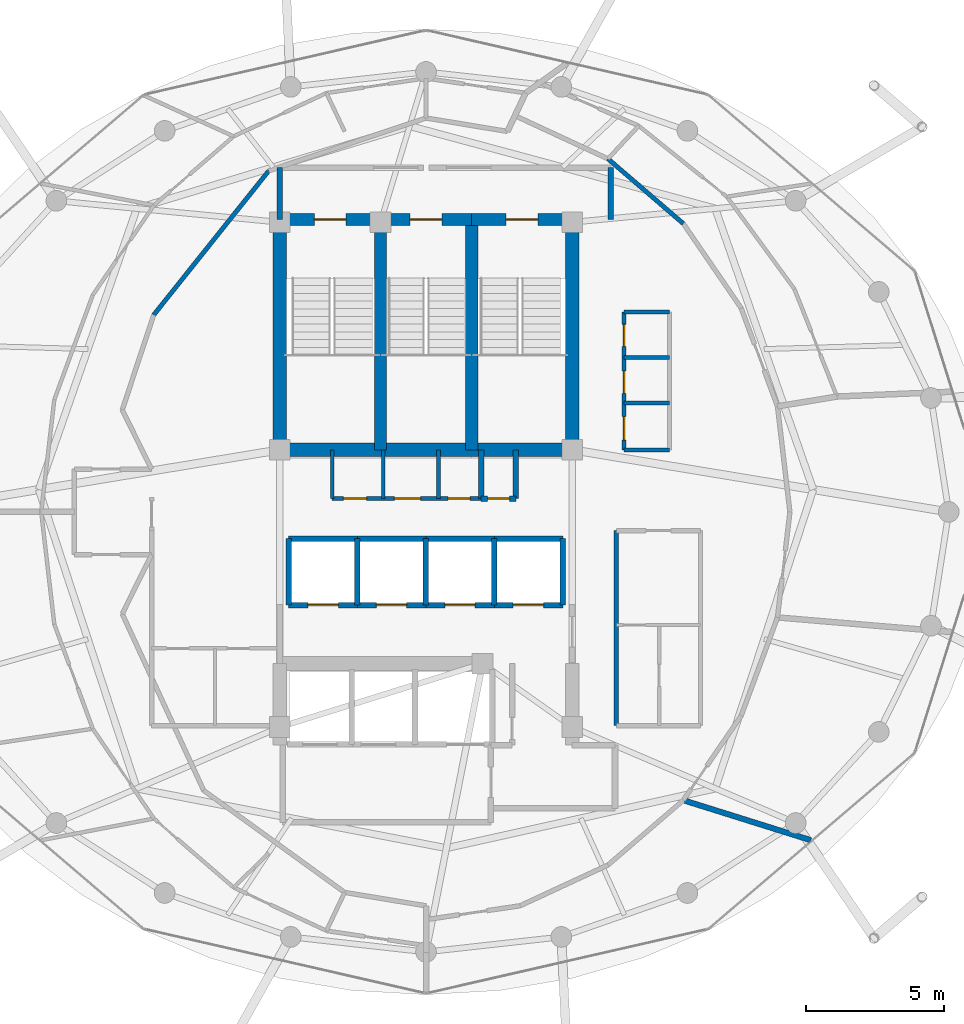
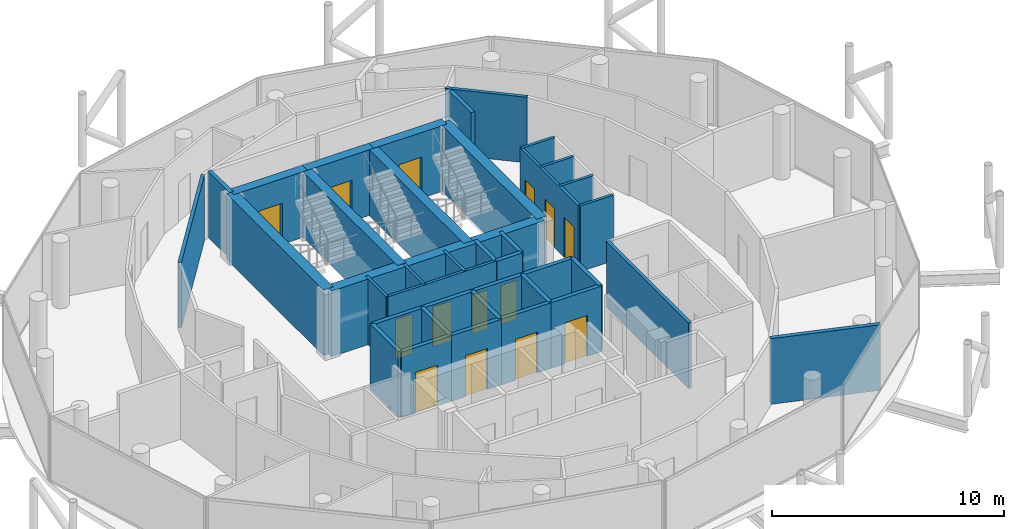
# One storey, part 21 of 24: 39 walls, 14 doors, 14 openings.
"""IFC4 building model written with IfcOpenShell, lengths in metres."""

from ifc_helpers import new_model, si_unit, direction, frame, frame_2d, origin, place, context, subcontext, project, spatial, rectangle, extrude, material, layer, layer_set, type_object, element, fill, save


model = new_model("IFC4")

# Units and contexts
model_context = context("Model", 3, precision=1e-05, world=origin(), true_north=direction((0.0, 1.0)))
body_context = subcontext(model_context, "Body", "Model", "MODEL_VIEW")
ifc_project = project(units=[si_unit("LENGTHUNIT", "METRE"), si_unit("AREAUNIT", "SQUARE_METRE"), si_unit("VOLUMEUNIT", "CUBIC_METRE"), si_unit("PLANEANGLEUNIT", "RADIAN"), si_unit("MASSUNIT", "GRAM", prefix="KILO")], contexts=[model_context])

# Site, building, storey
site_placement = place(None, origin())
site = spatial("IfcSite", under=ifc_project, at=site_placement, CompositionType="ELEMENT")
building_placement = place(site_placement, origin())
building = spatial("IfcBuilding", under=site, at=building_placement, Name="Nuhasar Tower", CompositionType="ELEMENT")
storey_placement = place(building_placement, frame((0.0, 0.0, 297.39990234375)))
storey = spatial("IfcBuildingStorey", under=building, at=storey_placement, Name="L74", CompositionType="ELEMENT", Elevation=297.39990234375)

# Wall, opening, door
ifc_material_1 = material(Name="Concrete C50/60", Category="concrete")
ifc_layer_1 = layer(ifc_material_1, 0.449951171875)
ifc_layer_set_1 = layer_set([ifc_layer_1], Name="Concrete C50/60")
wall_type_1 = type_object("IfcWallType", Name="WL-CORE-450", PredefinedType="SHEAR", material=ifc_layer_set_1)
wall_1_placement = place(storey_placement, frame((37.35009765625, 37.39990234375, 0.0), z_axis=(0.0, 0.0, 1.0), x_axis=(-1.0, 0.0, 0.0)))
wall_1 = element("IfcWall", 1, at=wall_1_placement, inside=storey, type_object=wall_type_1, Name="L74 Stairwell Shear Wall ST01-N", PredefinedType="SHEAR", context=body_context, shape_type="SweptSolid", body=[
    extrude(rectangle(XDim=3.650146484375, YDim=0.449951171875, at=frame_2d((1.8251953125, 0.0))), origin(), (0.0, 0.0, 1.0), 3.4501953125),
])
opening_1_placement = place(wall_1_placement, frame((1.25, 0.0, 0.0)))
opening_1 = element("IfcOpeningElement", 2, at=opening_1_placement, cuts=wall_1, Name="Opening DS-01", PredefinedType="OPENING", context=body_context, shape_type="SweptSolid", body=[
    extrude(rectangle(XDim=1.14990234375, YDim=2.14990234375, at=frame_2d((0.574951171875, 1.074951171875))), frame((0.0, 0.23486328125, 0.0), z_axis=(0.0, -1.0, 0.0), x_axis=(1.0, 0.0, 0.0)), (0.0, 0.0, 1.0), 0.469970703125),
])
ifc_material_2 = material(Name="Steel S355", Category="steel")
door_type_1 = type_object("IfcDoorType", Name="DR-STAIR-FD120-1150", OperationType="NOTDEFINED", PredefinedType="DOOR", material=ifc_material_2)
door_1_placement = place(opening_1_placement, origin())
door_1 = element("IfcDoor", 3, at=door_1_placement, inside=storey, type_object=door_type_1, Name="L74 Exit Stair ST-01 Door", OperationType="SINGLE_SWING_RIGHT", OverallHeight=2.14990234375, OverallWidth=1.14990234375, PredefinedType="DOOR", context=body_context, shape_type="SweptSolid", body=[
    extrude(rectangle(XDim=1.14990234375, YDim=2.14990234375, at=frame_2d((0.574951171875, 1.074951171875))), frame((0.0, 0.02490234375, 0.0), z_axis=(0.0, -1.0, 0.0), x_axis=(1.0, 0.0, 0.0)), (0.0, 0.0, 1.0), 0.050048828125),
])
fill(opening_1, door_1)

# Wall
wall_2_placement = place(storey_placement, frame((37.35009765625, 29.050048828125, 0.0), z_axis=(0.0, 0.0, 1.0), x_axis=(0.0, 1.0, 0.0)))
element("IfcWall", 4, at=wall_2_placement, inside=storey, type_object=wall_type_1, Name="L74 Stairwell Shear Wall ST01-E", PredefinedType="SHEAR", context=body_context, shape_type="SweptSolid", body=[
    extrude(rectangle(XDim=8.349853515625, YDim=0.449951171875, at=frame_2d((4.1748046875, 0.0))), origin(), (0.0, 0.0, 1.0), 3.4501953125),
])

# Wall, opening, door
wall_3_placement = place(storey_placement, frame((40.64990234375, 37.39990234375, 0.0), z_axis=(0.0, 0.0, 1.0), x_axis=(-1.0, 0.0, 0.0)))
wall_3 = element("IfcWall", 5, at=wall_3_placement, inside=storey, type_object=wall_type_1, Name="L74 Stairwell Shear Wall ST03-N", PredefinedType="SHEAR", context=body_context, shape_type="SweptSolid", body=[
    extrude(rectangle(XDim=3.2998046875, YDim=0.449951171875, at=frame_2d((1.64990234375, 0.0))), origin(), (0.0, 0.0, 1.0), 3.4501953125),
])
opening_2_placement = place(wall_3_placement, frame((1.074951171875, 0.0, 0.0)))
opening_2 = element("IfcOpeningElement", 6, at=opening_2_placement, cuts=wall_3, Name="Opening DS-01", PredefinedType="OPENING", context=body_context, shape_type="SweptSolid", body=[
    extrude(rectangle(XDim=1.14990234375, YDim=2.14990234375, at=frame_2d((0.574951171875, 1.074951171875))), frame((0.0, 0.23486328125, 0.0), z_axis=(0.0, -1.0, 0.0), x_axis=(1.0, 0.0, 0.0)), (0.0, 0.0, 1.0), 0.469970703125),
])
door_2_placement = place(opening_2_placement, origin())
door_2 = element("IfcDoor", 7, at=door_2_placement, inside=storey, type_object=door_type_1, Name="L74 Exit Stair ST-03 Door", OperationType="SINGLE_SWING_RIGHT", OverallHeight=2.14990234375, OverallWidth=1.14990234375, PredefinedType="DOOR", context=body_context, shape_type="SweptSolid", body=[
    extrude(rectangle(XDim=1.14990234375, YDim=2.14990234375, at=frame_2d((0.574951171875, 1.074951171875))), frame((0.0, 0.02490234375, 0.0), z_axis=(0.0, -1.0, 0.0), x_axis=(1.0, 0.0, 0.0)), (0.0, 0.0, 1.0), 0.050048828125),
])
fill(opening_2, door_2)

# Wall
wall_4_placement = place(storey_placement, frame((40.64990234375, 29.050048828125, 0.0), z_axis=(0.0, 0.0, 1.0), x_axis=(0.0, 1.0, 0.0)))
element("IfcWall", 8, at=wall_4_placement, inside=storey, type_object=wall_type_1, Name="L74 Stairwell Shear Wall ST03-E", PredefinedType="SHEAR", context=body_context, shape_type="SweptSolid", body=[
    extrude(rectangle(XDim=8.349853515625, YDim=0.449951171875, at=frame_2d((4.1748046875, 0.0))), origin(), (0.0, 0.0, 1.0), 3.4501953125),
])

# Wall, opening, door
wall_5_placement = place(storey_placement, frame((44.300048828125, 37.39990234375, 0.0), z_axis=(0.0, 0.0, 1.0), x_axis=(-1.0, 0.0, 0.0)))
wall_5 = element("IfcWall", 9, at=wall_5_placement, inside=storey, type_object=wall_type_1, Name="L74 Stairwell Shear Wall ST02-N", PredefinedType="SHEAR", context=body_context, shape_type="SweptSolid", body=[
    extrude(rectangle(XDim=3.650146484375, YDim=0.449951171875, at=frame_2d((1.8251953125, 0.0))), origin(), (0.0, 0.0, 1.0), 3.4501953125),
])
opening_3_placement = place(wall_5_placement, frame((1.25, 0.0, 0.0)))
opening_3 = element("IfcOpeningElement", 10, at=opening_3_placement, cuts=wall_5, Name="Opening DS-01", PredefinedType="OPENING", context=body_context, shape_type="SweptSolid", body=[
    extrude(rectangle(XDim=1.14990234375, YDim=2.14990234375, at=frame_2d((0.574951171875, 1.074951171875))), frame((0.0, 0.23486328125, 0.0), z_axis=(0.0, -1.0, 0.0), x_axis=(1.0, 0.0, 0.0)), (0.0, 0.0, 1.0), 0.469970703125),
])
door_3_placement = place(opening_3_placement, origin())
door_3 = element("IfcDoor", 11, at=door_3_placement, inside=storey, type_object=door_type_1, Name="L74 Exit Stair ST-02 Door", OperationType="SINGLE_SWING_LEFT", OverallHeight=2.14990234375, OverallWidth=1.14990234375, PredefinedType="DOOR", context=body_context, shape_type="SweptSolid", body=[
    extrude(rectangle(XDim=1.14990234375, YDim=2.14990234375, at=frame_2d((0.574951171875, 1.074951171875))), frame((0.0, 0.02490234375, 0.0), z_axis=(0.0, -1.0, 0.0), x_axis=(1.0, 0.0, 0.0)), (0.0, 0.0, 1.0), 0.050048828125),
])
fill(opening_3, door_3)

# Walls
ifc_layer_2 = layer(ifc_material_1, 0.5)
ifc_layer_set_2 = layer_set([ifc_layer_2], Name="Concrete C50/60")
wall_type_2 = type_object("IfcWallType", Name="WL-CORE-500", PredefinedType="SHEAR", material=ifc_layer_set_2)
for number, where, z_axis, x_axis, name in (
    (12, (33.699951171875, 29.050048828125, 0.0), (0.0, 0.0, 1.0), (0.0, 1.0, 0.0), "L74 Core Shear Wall CW-NW CW-500"),
    (13, (44.300048828125, 29.050048828125, 0.0), (0.0, 0.0, 1.0), (0.0, 1.0, 0.0), "L74 Core Shear Wall CW-NE CW-500"),
):
    element("IfcWall", number, at=place(storey_placement, frame(where, z_axis=z_axis, x_axis=x_axis)), inside=storey, type_object=wall_type_2, Name=name, PredefinedType="SHEAR", context=body_context, shape_type="SweptSolid", body=[
        extrude(rectangle(XDim=8.349853515625, YDim=0.5, at=frame_2d((4.1748046875, 0.0))), origin(), (0.0, 0.0, 1.0), 3.4501953125),
    ])
wall_6_placement = place(storey_placement, frame((33.699951171875, 29.050048828125, 0.0), z_axis=(0.0, 0.0, 1.0), x_axis=(1.0, 0.0, 0.0)))
element("IfcWall", 14, at=wall_6_placement, inside=storey, type_object=wall_type_2, Name="L74 Core Shear Wall CW-N1 CW-500", PredefinedType="SHEAR", context=body_context, shape_type="SweptSolid", body=[
    extrude(rectangle(XDim=10.60009765625, YDim=0.5, at=frame_2d((5.300048828125, 0.0))), origin(), (0.0, 0.0, 1.0), 3.4501953125),
])
ifc_material_3 = material(Name="Gypsum Board", Category="gypsum")
ifc_layer_3 = layer(ifc_material_3, 0.159912109375)
ifc_layer_set_3 = layer_set([ifc_layer_3], Name="Gypsum Board")
wall_type_3 = type_object("IfcWallType", Name="WL-CORR-160", PredefinedType="PARTITIONING", material=ifc_layer_set_3)
wall_7_placement = place(storey_placement, frame((45.89990234375, 19.050048828125, 0.0), z_axis=(0.0, 0.0, 1.0), x_axis=(0.0, 1.0, 0.0)))
element("IfcWall", 15, at=wall_7_placement, inside=storey, type_object=wall_type_3, Name="L74 Interior Partition RECL-B2-W", PredefinedType="PARTITIONING", context=body_context, shape_type="SweptSolid", body=[
    extrude(rectangle(XDim=7.070068359375, YDim=0.159912109375, at=frame_2d((3.53515625, 0.0))), origin(), (0.0, 0.0, 1.0), 3.4501953125),
])
wall_8_placement = place(storey_placement, frame((48.326904296875, 37.2509765625, 0.0), z_axis=(0.0, 0.0, 1.0), x_axis=(-0.758232091793, 0.651984735231, 0.0)))
element("IfcWall", 16, at=wall_8_placement, inside=storey, type_object=wall_type_3, Name="L74 Interior Partition CORR-06", PredefinedType="PARTITIONING", context=body_context, shape_type="SweptSolid", body=[
    extrude(rectangle(XDim=3.60302734375, YDim=0.159912109375, at=frame_2d((1.801513671875, 0.0))), origin(), (0.0, 0.0, 1.0), 3.4501953125),
])
wall_9_placement = place(storey_placement, frame((33.300048828125, 39.1669921875, 0.0), z_axis=(0.0, 0.0, 1.0), x_axis=(-0.623915746766, -0.781491612839, 0.0)))
element("IfcWall", 17, at=wall_9_placement, inside=storey, type_object=wall_type_3, Name="L74 Interior Partition UWEST-CORE-N2-16", PredefinedType="PARTITIONING", context=body_context, shape_type="SweptSolid", body=[
    extrude(rectangle(XDim=6.6884765625, YDim=0.159912109375, at=frame_2d((3.34423828125, 0.0))), origin(), (0.0, 0.0, 1.0), 3.4501953125),
])
ifc_material_4 = material(Name="Concrete C45/55", Category="concrete")
ifc_layer_4 = layer(ifc_material_4, 0.199951171875)
ifc_layer_set_4 = layer_set([ifc_layer_4], Name="Concrete C45/55")
wall_type_4 = type_object("IfcWallType", Name="WL-LOBBY-200", PredefinedType="SOLIDWALL", material=ifc_layer_set_4)
for number, where, z_axis, x_axis, name in (
    (18, (33.699951171875, 37.39990234375, 0.0), (0.0, 0.0, 1.0), (0.0, 1.0, 0.0), "L74 Interior Partition NSL-W"),
    (19, (45.699951171875, 37.39990234375, 0.0), (0.0, 0.0, 1.0), (0.0, 1.0, 0.0), "L74 Interior Partition NSL-E"),
):
    element("IfcWall", number, at=place(storey_placement, frame(where, z_axis=z_axis, x_axis=x_axis)), inside=storey, type_object=wall_type_4, Name=name, PredefinedType="SOLIDWALL", context=body_context, shape_type="SweptSolid", body=[
        extrude(rectangle(XDim=1.880126953125, YDim=0.199951171875, at=frame_2d((0.93994140625, 0.0))), origin(), (0.0, 0.0, 1.0), 3.4501953125),
    ])
ifc_layer_5 = layer(ifc_material_4, 0.199951171875)
ifc_layer_set_5 = layer_set([ifc_layer_5], Name="Concrete C45/55")
wall_type_5 = type_object("IfcWallType", Name="WL-SHAFT-200", PredefinedType="SOLIDWALL", material=ifc_layer_set_5)
for number, where, z_axis, x_axis, name in (
    (20, (41.0, 27.280029296875, 0.0), (0.0, 0.0, 1.0), (0.0, 1.0, 0.0), "L74 Interior Partition RSRN-W"),
    (21, (42.260009765625, 27.280029296875, 0.0), (0.0, 0.0, 1.0), (0.0, 1.0, 0.0), "L74 Interior Partition RSRN-E"),
):
    element("IfcWall", number, at=place(storey_placement, frame(where, z_axis=z_axis, x_axis=x_axis)), inside=storey, type_object=wall_type_5, Name=name, PredefinedType="SOLIDWALL", context=body_context, shape_type="SweptSolid", body=[
        extrude(rectangle(XDim=1.77001953125, YDim=0.199951171875, at=frame_2d((0.885009765625, 0.0))), origin(), (0.0, 0.0, 1.0), 3.4501953125),
    ])

# Wall, opening, door
wall_10_placement = place(storey_placement, frame((41.0, 27.280029296875, 0.0), z_axis=(0.0, 0.0, 1.0), x_axis=(1.0, 0.0, 0.0)))
wall_10 = element("IfcWall", 22, at=wall_10_placement, inside=storey, type_object=wall_type_5, Name="L74 Interior Partition RSRN-S", PredefinedType="SOLIDWALL", context=body_context, shape_type="SweptSolid", body=[
    extrude(rectangle(XDim=1.260009765625, YDim=0.199951171875, at=frame_2d((0.6298828125, 0.0))), origin(), (0.0, 0.0, 1.0), 3.4501953125),
])
opening_4_placement = place(wall_10_placement, frame((0.22998046875, 0.0, 0.0)))
opening_4 = element("IfcOpeningElement", 23, at=opening_4_placement, cuts=wall_10, Name="Opening DM-01", PredefinedType="OPENING", context=body_context, shape_type="SweptSolid", body=[
    extrude(rectangle(XDim=0.800048828125, YDim=2.050048828125, at=frame_2d((0.39990234375, 1.02490234375))), frame((0.0, 0.10986328125, 0.0), z_axis=(0.0, -1.0, 0.0), x_axis=(1.0, 0.0, 0.0)), (0.0, 0.0, 1.0), 0.219970703125),
])
door_type_2 = type_object("IfcDoorType", Name="DR-RISER-FD60-800", OperationType="NOTDEFINED", PredefinedType="DOOR", material=ifc_material_2)
door_4_placement = place(opening_4_placement, origin())
door_4 = element("IfcDoor", 24, at=door_4_placement, inside=storey, type_object=door_type_2, Name="L74 North Smoke Riser Door", OperationType="SINGLE_SWING_RIGHT", OverallHeight=2.050048828125, OverallWidth=0.800048828125, PredefinedType="DOOR", context=body_context, shape_type="SweptSolid", body=[
    extrude(rectangle(XDim=0.800048828125, YDim=2.050048828125, at=frame_2d((0.39990234375, 1.02490234375))), frame((0.0, 0.02490234375, 0.0), z_axis=(0.0, -1.0, 0.0), x_axis=(1.0, 0.0, 0.0)), (0.0, 0.0, 1.0), 0.050048828125),
])
fill(opening_4, door_4)

wall_11_placement = place(storey_placement, frame((34.02001953125, 23.419921875, 0.0), z_axis=(0.0, 0.0, 1.0), x_axis=(1.0, 0.0, 0.0)))
wall_11 = element("IfcWall", 25, at=wall_11_placement, inside=storey, type_object=wall_type_5, Name="L74 Interior Partition SHF-PL-H01-S", PredefinedType="SOLIDWALL", context=body_context, shape_type="SweptSolid", body=[
    extrude(rectangle(XDim=2.5, YDim=0.199951171875, at=frame_2d((1.25, 0.0))), origin(), (0.0, 0.0, 1.0), 3.4501953125),
])
opening_5_placement = place(wall_11_placement, frame((0.699951171875, 0.0, 0.0)))
opening_5 = element("IfcOpeningElement", 26, at=opening_5_placement, cuts=wall_11, Name="Opening LD-H01", PredefinedType="OPENING", context=body_context, shape_type="SweptSolid", body=[
    extrude(rectangle(XDim=1.10009765625, YDim=2.14990234375, at=frame_2d((0.550048828125, 1.074951171875))), frame((0.0, 0.10986328125, 0.0), z_axis=(0.0, -1.0, 0.0), x_axis=(1.0, 0.0, 0.0)), (0.0, 0.0, 1.0), 0.219970703125),
])
ifc_material_5 = material(Name="Stainless Steel 316L", Category="steel")
door_type_3 = type_object("IfcDoorType", Name="LD-PAX-1100", OperationType="DOUBLE_DOOR_SLIDING", PredefinedType="DOOR", material=ifc_material_5)
door_5_placement = place(opening_5_placement, origin())
door_5 = element("IfcDoor", 27, at=door_5_placement, inside=storey, type_object=door_type_3, Name="L74 Lift Landing Door PL-H01", OperationType="DOUBLE_DOOR_SLIDING", OverallHeight=2.14990234375, OverallWidth=1.10009765625, PredefinedType="DOOR", context=body_context, shape_type="SweptSolid", body=[
    extrude(rectangle(XDim=1.10009765625, YDim=2.14990234375, at=frame_2d((0.550048828125, 1.074951171875))), frame((0.0, 0.02490234375, 0.0), z_axis=(0.0, -1.0, 0.0), x_axis=(1.0, 0.0, 0.0)), (0.0, 0.0, 1.0), 0.050048828125),
])
fill(opening_5, door_5)

# Walls
wall_12_placement = place(storey_placement, frame((34.02001953125, 25.830078125, 0.0), z_axis=(0.0, 0.0, 1.0), x_axis=(1.0, 0.0, 0.0)))
element("IfcWall", 28, at=wall_12_placement, inside=storey, type_object=wall_type_5, Name="L74 Interior Partition SHF-PL-H01-N", PredefinedType="SOLIDWALL", context=body_context, shape_type="SweptSolid", body=[
    extrude(rectangle(XDim=2.5, YDim=0.199951171875, at=frame_2d((1.25, 0.0))), origin(), (0.0, 0.0, 1.0), 3.4501953125),
])
for number, where, z_axis, x_axis, name in (
    (29, (34.02001953125, 23.419921875, 0.0), (0.0, 0.0, 1.0), (0.0, 1.0, 0.0), "L74 Interior Partition SHF-PL-H01-W"),
    (30, (36.510009765625, 23.419921875, 0.0), (0.0, 0.0, 1.0), (0.0, 1.0, 0.0), "L74 Interior Partition SHF-PL-H01-E"),
):
    element("IfcWall", number, at=place(storey_placement, frame(where, z_axis=z_axis, x_axis=x_axis)), inside=storey, type_object=wall_type_5, Name=name, PredefinedType="SOLIDWALL", context=body_context, shape_type="SweptSolid", body=[
        extrude(rectangle(XDim=2.41015625, YDim=0.199951171875, at=frame_2d((1.205078125, 0.0))), origin(), (0.0, 0.0, 1.0), 3.4501953125),
    ])

# Wall, opening, door
wall_13_placement = place(storey_placement, frame((36.5, 23.419921875, 0.0), z_axis=(0.0, 0.0, 1.0), x_axis=(1.0, 0.0, 0.0)))
wall_13 = element("IfcWall", 31, at=wall_13_placement, inside=storey, type_object=wall_type_5, Name="L74 Interior Partition SHF-PL-H02-S", PredefinedType="SOLIDWALL", context=body_context, shape_type="SweptSolid", body=[
    extrude(rectangle(XDim=2.5, YDim=0.199951171875, at=frame_2d((1.25, 0.0))), origin(), (0.0, 0.0, 1.0), 3.4501953125),
])
opening_6_placement = place(wall_13_placement, frame((0.699951171875, 0.0, 0.0)))
opening_6 = element("IfcOpeningElement", 32, at=opening_6_placement, cuts=wall_13, Name="Opening LD-H02", PredefinedType="OPENING", context=body_context, shape_type="SweptSolid", body=[
    extrude(rectangle(XDim=1.10009765625, YDim=2.14990234375, at=frame_2d((0.550048828125, 1.074951171875))), frame((0.0, 0.10986328125, 0.0), z_axis=(0.0, -1.0, 0.0), x_axis=(1.0, 0.0, 0.0)), (0.0, 0.0, 1.0), 0.219970703125),
])
door_6_placement = place(opening_6_placement, origin())
door_6 = element("IfcDoor", 33, at=door_6_placement, inside=storey, type_object=door_type_3, Name="L74 Lift Landing Door PL-H02", OperationType="DOUBLE_DOOR_SLIDING", OverallHeight=2.14990234375, OverallWidth=1.10009765625, PredefinedType="DOOR", context=body_context, shape_type="SweptSolid", body=[
    extrude(rectangle(XDim=1.10009765625, YDim=2.14990234375, at=frame_2d((0.550048828125, 1.074951171875))), frame((0.0, 0.02490234375, 0.0), z_axis=(0.0, -1.0, 0.0), x_axis=(1.0, 0.0, 0.0)), (0.0, 0.0, 1.0), 0.050048828125),
])
fill(opening_6, door_6)

# Walls
wall_14_placement = place(storey_placement, frame((36.5, 25.830078125, 0.0), z_axis=(0.0, 0.0, 1.0), x_axis=(1.0, 0.0, 0.0)))
element("IfcWall", 34, at=wall_14_placement, inside=storey, type_object=wall_type_5, Name="L74 Interior Partition SHF-PL-H02-N", PredefinedType="SOLIDWALL", context=body_context, shape_type="SweptSolid", body=[
    extrude(rectangle(XDim=2.5, YDim=0.199951171875, at=frame_2d((1.25, 0.0))), origin(), (0.0, 0.0, 1.0), 3.4501953125),
])
wall_15_placement = place(storey_placement, frame((38.989990234375, 23.419921875, 0.0), z_axis=(0.0, 0.0, 1.0), x_axis=(0.0, 1.0, 0.0)))
element("IfcWall", 35, at=wall_15_placement, inside=storey, type_object=wall_type_5, Name="L74 Interior Partition SHF-PL-H02-E", PredefinedType="SOLIDWALL", context=body_context, shape_type="SweptSolid", body=[
    extrude(rectangle(XDim=2.41015625, YDim=0.199951171875, at=frame_2d((1.205078125, 0.0))), origin(), (0.0, 0.0, 1.0), 3.4501953125),
])

# Wall, opening, door
wall_16_placement = place(storey_placement, frame((38.97998046875, 23.419921875, 0.0), z_axis=(0.0, 0.0, 1.0), x_axis=(1.0, 0.0, 0.0)))
wall_16 = element("IfcWall", 36, at=wall_16_placement, inside=storey, type_object=wall_type_5, Name="L74 Interior Partition SHF-PL-H03-S", PredefinedType="SOLIDWALL", context=body_context, shape_type="SweptSolid", body=[
    extrude(rectangle(XDim=2.5, YDim=0.199951171875, at=frame_2d((1.25, 0.0))), origin(), (0.0, 0.0, 1.0), 3.4501953125),
])
opening_7_placement = place(wall_16_placement, frame((0.699951171875, 0.0, 0.0)))
opening_7 = element("IfcOpeningElement", 37, at=opening_7_placement, cuts=wall_16, Name="Opening LD-H03", PredefinedType="OPENING", context=body_context, shape_type="SweptSolid", body=[
    extrude(rectangle(XDim=1.10009765625, YDim=2.14990234375, at=frame_2d((0.550048828125, 1.074951171875))), frame((0.0, 0.10986328125, 0.0), z_axis=(0.0, -1.0, 0.0), x_axis=(1.0, 0.0, 0.0)), (0.0, 0.0, 1.0), 0.219970703125),
])
door_7_placement = place(opening_7_placement, origin())
door_7 = element("IfcDoor", 38, at=door_7_placement, inside=storey, type_object=door_type_3, Name="L74 Lift Landing Door PL-H03", OperationType="DOUBLE_DOOR_SLIDING", OverallHeight=2.14990234375, OverallWidth=1.10009765625, PredefinedType="DOOR", context=body_context, shape_type="SweptSolid", body=[
    extrude(rectangle(XDim=1.10009765625, YDim=2.14990234375, at=frame_2d((0.550048828125, 1.074951171875))), frame((0.0, 0.02490234375, 0.0), z_axis=(0.0, -1.0, 0.0), x_axis=(1.0, 0.0, 0.0)), (0.0, 0.0, 1.0), 0.050048828125),
])
fill(opening_7, door_7)

# Walls
wall_17_placement = place(storey_placement, frame((38.97998046875, 25.830078125, 0.0), z_axis=(0.0, 0.0, 1.0), x_axis=(1.0, 0.0, 0.0)))
element("IfcWall", 39, at=wall_17_placement, inside=storey, type_object=wall_type_5, Name="L74 Interior Partition SHF-PL-H03-N", PredefinedType="SOLIDWALL", context=body_context, shape_type="SweptSolid", body=[
    extrude(rectangle(XDim=2.5, YDim=0.199951171875, at=frame_2d((1.25, 0.0))), origin(), (0.0, 0.0, 1.0), 3.4501953125),
])
wall_18_placement = place(storey_placement, frame((41.469970703125, 23.419921875, 0.0), z_axis=(0.0, 0.0, 1.0), x_axis=(0.0, 1.0, 0.0)))
element("IfcWall", 40, at=wall_18_placement, inside=storey, type_object=wall_type_5, Name="L74 Interior Partition SHF-PL-H03-E", PredefinedType="SOLIDWALL", context=body_context, shape_type="SweptSolid", body=[
    extrude(rectangle(XDim=2.41015625, YDim=0.199951171875, at=frame_2d((1.205078125, 0.0))), origin(), (0.0, 0.0, 1.0), 3.4501953125),
])

# Wall, opening, door
wall_19_placement = place(storey_placement, frame((41.4599609375, 23.419921875, 0.0), z_axis=(0.0, 0.0, 1.0), x_axis=(1.0, 0.0, 0.0)))
wall_19 = element("IfcWall", 41, at=wall_19_placement, inside=storey, type_object=wall_type_5, Name="L74 Interior Partition SHF-PL-H04-S", PredefinedType="SOLIDWALL", context=body_context, shape_type="SweptSolid", body=[
    extrude(rectangle(XDim=2.5, YDim=0.199951171875, at=frame_2d((1.25, 0.0))), origin(), (0.0, 0.0, 1.0), 3.4501953125),
])
opening_8_placement = place(wall_19_placement, frame((0.699951171875, 0.0, 0.0)))
opening_8 = element("IfcOpeningElement", 42, at=opening_8_placement, cuts=wall_19, Name="Opening LD-H04", PredefinedType="OPENING", context=body_context, shape_type="SweptSolid", body=[
    extrude(rectangle(XDim=1.10009765625, YDim=2.14990234375, at=frame_2d((0.550048828125, 1.074951171875))), frame((0.0, 0.10986328125, 0.0), z_axis=(0.0, -1.0, 0.0), x_axis=(1.0, 0.0, 0.0)), (0.0, 0.0, 1.0), 0.219970703125),
])
door_8_placement = place(opening_8_placement, origin())
door_8 = element("IfcDoor", 43, at=door_8_placement, inside=storey, type_object=door_type_3, Name="L74 Lift Landing Door PL-H04", OperationType="DOUBLE_DOOR_SLIDING", OverallHeight=2.14990234375, OverallWidth=1.10009765625, PredefinedType="DOOR", context=body_context, shape_type="SweptSolid", body=[
    extrude(rectangle(XDim=1.10009765625, YDim=2.14990234375, at=frame_2d((0.550048828125, 1.074951171875))), frame((0.0, 0.02490234375, 0.0), z_axis=(0.0, -1.0, 0.0), x_axis=(1.0, 0.0, 0.0)), (0.0, 0.0, 1.0), 0.050048828125),
])
fill(opening_8, door_8)

# Walls
wall_20_placement = place(storey_placement, frame((41.4599609375, 25.830078125, 0.0), z_axis=(0.0, 0.0, 1.0), x_axis=(1.0, 0.0, 0.0)))
element("IfcWall", 44, at=wall_20_placement, inside=storey, type_object=wall_type_5, Name="L74 Interior Partition SHF-PL-H04-N", PredefinedType="SOLIDWALL", context=body_context, shape_type="SweptSolid", body=[
    extrude(rectangle(XDim=2.5, YDim=0.199951171875, at=frame_2d((1.25, 0.0))), origin(), (0.0, 0.0, 1.0), 3.4501953125),
])
wall_21_placement = place(storey_placement, frame((43.9599609375, 23.419921875, 0.0), z_axis=(0.0, 0.0, 1.0), x_axis=(0.0, 1.0, 0.0)))
element("IfcWall", 45, at=wall_21_placement, inside=storey, type_object=wall_type_5, Name="L74 Interior Partition SHF-PL-H04-E", PredefinedType="SOLIDWALL", context=body_context, shape_type="SweptSolid", body=[
    extrude(rectangle(XDim=2.41015625, YDim=0.199951171875, at=frame_2d((1.205078125, 0.0))), origin(), (0.0, 0.0, 1.0), 3.4501953125),
])
ifc_material_6 = material(Name="Concrete C40/50 precast", Category="concrete")
ifc_layer_6 = layer(ifc_material_6, 0.199951171875)
ifc_layer_set_6 = layer_set([ifc_layer_6], Name="Concrete C40/50 precast")
wall_type_6 = type_object("IfcWallType", Name="WL-UNIT-200", PredefinedType="PARTITIONING", material=ifc_layer_set_6)
wall_22_placement = place(storey_placement, frame((48.326904296875, 16.34912109375, 0.0), z_axis=(0.0, 0.0, 1.0), x_axis=(0.954174696895, -0.299250142532, 0.0)))
element("IfcWall", 46, at=wall_22_placement, inside=storey, type_object=wall_type_6, Name="L74 Interior Partition URAD-42", PredefinedType="PARTITIONING", context=body_context, shape_type="SweptSolid", body=[
    extrude(rectangle(XDim=4.84619140625, YDim=0.199951171875, at=frame_2d((2.423095703125, 0.0))), origin(), (0.0, 0.0, 1.0), 3.4501953125),
])
ifc_layer_7 = layer(ifc_material_6, 0.139892578125)
ifc_layer_set_7 = layer_set([ifc_layer_7], Name="Concrete C40/50 precast")
wall_type_7 = type_object("IfcWallType", Name="WL-WET-140", PredefinedType="PARTITIONING", material=ifc_layer_set_7)
wall_23_placement = place(storey_placement, frame((35.60009765625, 27.280029296875, 0.0), z_axis=(0.0, 0.0, 1.0), x_axis=(0.0, 1.0, 0.0)))
element("IfcWall", 47, at=wall_23_placement, inside=storey, type_object=wall_type_7, Name="L74 Interior Partition CSVC-W", PredefinedType="PARTITIONING", context=body_context, shape_type="SweptSolid", body=[
    extrude(rectangle(XDim=1.77001953125, YDim=0.139892578125, at=frame_2d((0.885009765625, 0.0))), origin(), (0.0, 0.0, 1.0), 3.4501953125),
])

# Wall, openings, doors
wall_24_placement = place(storey_placement, frame((35.60009765625, 27.280029296875, 0.0), z_axis=(0.0, 0.0, 1.0), x_axis=(1.0, 0.0, 0.0)))
wall_24 = element("IfcWall", 48, at=wall_24_placement, inside=storey, type_object=wall_type_7, Name="L74 Interior Partition CSVC-S", PredefinedType="PARTITIONING", context=body_context, shape_type="SweptSolid", body=[
    extrude(rectangle(XDim=5.39990234375, YDim=0.139892578125, at=frame_2d((2.699951171875, 0.0))), origin(), (0.0, 0.0, 1.0), 3.4501953125),
])
opening_9_placement = place(wall_24_placement, frame((0.39990234375, 0.0, 0.0)))
opening_9 = element("IfcOpeningElement", 49, at=opening_9_placement, cuts=wall_24, Name="Opening DB-01", PredefinedType="OPENING", context=body_context, shape_type="SweptSolid", body=[
    extrude(rectangle(XDim=0.85009765625, YDim=2.10009765625, at=frame_2d((0.425048828125, 1.050048828125))), frame((0.0, 0.080078125, 0.0), z_axis=(0.0, -1.0, 0.0), x_axis=(1.0, 0.0, 0.0)), (0.0, 0.0, 1.0), 0.159912109375),
])
opening_10_placement = place(wall_24_placement, frame((2.25, 0.0, 0.0)))
opening_10 = element("IfcOpeningElement", 50, at=opening_10_placement, cuts=wall_24, Name="Opening DA-01", PredefinedType="OPENING", context=body_context, shape_type="SweptSolid", body=[
    extrude(rectangle(XDim=0.949951171875, YDim=2.10009765625, at=frame_2d((0.47509765625, 1.050048828125))), frame((0.0, 0.080078125, 0.0), z_axis=(0.0, -1.0, 0.0), x_axis=(1.0, 0.0, 0.0)), (0.0, 0.0, 1.0), 0.159912109375),
])
opening_11_placement = place(wall_24_placement, frame((4.199951171875, 0.0, 0.0)))
opening_11 = element("IfcOpeningElement", 51, at=opening_11_placement, cuts=wall_24, Name="Opening DM-01", PredefinedType="OPENING", context=body_context, shape_type="SweptSolid", body=[
    extrude(rectangle(XDim=0.800048828125, YDim=2.050048828125, at=frame_2d((0.39990234375, 1.02490234375))), frame((0.0, 0.080078125, 0.0), z_axis=(0.0, -1.0, 0.0), x_axis=(1.0, 0.0, 0.0)), (0.0, 0.0, 1.0), 0.159912109375),
])
ifc_material_7 = material(Name="Timber Oak", Category="wood")
door_type_4 = type_object("IfcDoorType", Name="DR-ACCWC-950", OperationType="NOTDEFINED", PredefinedType="DOOR", material=ifc_material_7)
door_9_placement = place(opening_10_placement, origin())
door_9 = element("IfcDoor", 52, at=door_9_placement, inside=storey, type_object=door_type_4, Name="L74 Core Accessible WC Door", OperationType="SINGLE_SWING_RIGHT", OverallHeight=2.10009765625, OverallWidth=0.949951171875, PredefinedType="DOOR", context=body_context, shape_type="SweptSolid", body=[
    extrude(rectangle(XDim=0.949951171875, YDim=2.10009765625, at=frame_2d((0.47509765625, 1.050048828125))), frame((0.0, 0.02490234375, 0.0), z_axis=(0.0, -1.0, 0.0), x_axis=(1.0, 0.0, 0.0)), (0.0, 0.0, 1.0), 0.050048828125),
])
fill(opening_10, door_9)
door_type_5 = type_object("IfcDoorType", Name="DR-BATH-850", OperationType="NOTDEFINED", PredefinedType="DOOR", material=ifc_material_7)
door_10_placement = place(opening_9_placement, origin())
door_10 = element("IfcDoor", 53, at=door_10_placement, inside=storey, type_object=door_type_5, Name="L74 Core Male WC Door", OperationType="SINGLE_SWING_LEFT", OverallHeight=2.10009765625, OverallWidth=0.85009765625, PredefinedType="DOOR", context=body_context, shape_type="SweptSolid", body=[
    extrude(rectangle(XDim=0.85009765625, YDim=2.10009765625, at=frame_2d((0.425048828125, 1.050048828125))), frame((0.0, 0.02490234375, 0.0), z_axis=(0.0, -1.0, 0.0), x_axis=(1.0, 0.0, 0.0)), (0.0, 0.0, 1.0), 0.050048828125),
])
fill(opening_9, door_10)
door_11_placement = place(opening_11_placement, origin())
door_11 = element("IfcDoor", 54, at=door_11_placement, inside=storey, type_object=door_type_2, Name="L74 Core Janitor Door", OperationType="SINGLE_SWING_RIGHT", OverallHeight=2.050048828125, OverallWidth=0.800048828125, PredefinedType="DOOR", context=body_context, shape_type="SweptSolid", body=[
    extrude(rectangle(XDim=0.800048828125, YDim=2.050048828125, at=frame_2d((0.39990234375, 1.02490234375))), frame((0.0, 0.02490234375, 0.0), z_axis=(0.0, -1.0, 0.0), x_axis=(1.0, 0.0, 0.0)), (0.0, 0.0, 1.0), 0.050048828125),
])
fill(opening_11, door_11)

# Walls
for number, where, z_axis, x_axis, name in (
    (55, (37.449951171875, 27.280029296875, 0.0), (0.0, 0.0, 1.0), (0.0, 1.0, 0.0), "L74 Interior Partition K1-P1"),
    (56, (39.449951171875, 27.280029296875, 0.0), (0.0, 0.0, 1.0), (0.0, 1.0, 0.0), "L74 Interior Partition K1-P2"),
):
    element("IfcWall", number, at=place(storey_placement, frame(where, z_axis=z_axis, x_axis=x_axis)), inside=storey, type_object=wall_type_7, Name=name, PredefinedType="PARTITIONING", context=body_context, shape_type="SweptSolid", body=[
        extrude(rectangle(XDim=1.77001953125, YDim=0.139892578125, at=frame_2d((0.885009765625, 0.0))), origin(), (0.0, 0.0, 1.0), 3.4501953125),
    ])

# Wall, openings, doors
wall_25_placement = place(storey_placement, frame((46.179931640625, 34.050048828125, 0.0), z_axis=(0.0, 0.0, 1.0), x_axis=(0.0, -1.0, 0.0)))
wall_25 = element("IfcWall", 57, at=wall_25_placement, inside=storey, type_object=wall_type_7, Name="L74 Interior Partition K1-NE-W", PredefinedType="PARTITIONING", context=body_context, shape_type="SweptSolid", body=[
    extrude(rectangle(XDim=5.0, YDim=0.139892578125, at=frame_2d((2.5, 0.0))), origin(), (0.0, 0.0, 1.0), 3.4501953125),
])
opening_12_placement = place(wall_25_placement, frame((3.800048828125, 0.0, 0.0)))
opening_12 = element("IfcOpeningElement", 58, at=opening_12_placement, cuts=wall_25, Name="Opening DB-01", PredefinedType="OPENING", context=body_context, shape_type="SweptSolid", body=[
    extrude(rectangle(XDim=0.85009765625, YDim=2.10009765625, at=frame_2d((0.425048828125, 1.050048828125))), frame((0.0, 0.080078125, 0.0), z_axis=(0.0, -1.0, 0.0), x_axis=(1.0, 0.0, 0.0)), (0.0, 0.0, 1.0), 0.159912109375),
])
opening_13_placement = place(wall_25_placement, frame((2.14990234375, 0.0, 0.0)))
opening_13 = element("IfcOpeningElement", 59, at=opening_13_placement, cuts=wall_25, Name="Opening DM-01", PredefinedType="OPENING", context=body_context, shape_type="SweptSolid", body=[
    extrude(rectangle(XDim=0.800048828125, YDim=2.050048828125, at=frame_2d((0.39990234375, 1.02490234375))), frame((0.0, 0.080078125, 0.0), z_axis=(0.0, -1.0, 0.0), x_axis=(1.0, 0.0, 0.0)), (0.0, 0.0, 1.0), 0.159912109375),
])
opening_14_placement = place(wall_25_placement, frame((0.449951171875, 0.0, 0.0)))
opening_14 = element("IfcOpeningElement", 60, at=opening_14_placement, cuts=wall_25, Name="Opening DM-01", PredefinedType="OPENING", context=body_context, shape_type="SweptSolid", body=[
    extrude(rectangle(XDim=0.800048828125, YDim=2.050048828125, at=frame_2d((0.39990234375, 1.02490234375))), frame((0.0, 0.080078125, 0.0), z_axis=(0.0, -1.0, 0.0), x_axis=(1.0, 0.0, 0.0)), (0.0, 0.0, 1.0), 0.159912109375),
])
door_12_placement = place(opening_12_placement, origin())
door_12 = element("IfcDoor", 61, at=door_12_placement, inside=storey, type_object=door_type_5, Name="L74 NE Female WC Door", OperationType="SINGLE_SWING_RIGHT", OverallHeight=2.10009765625, OverallWidth=0.85009765625, PredefinedType="DOOR", context=body_context, shape_type="SweptSolid", body=[
    extrude(rectangle(XDim=0.85009765625, YDim=2.10009765625, at=frame_2d((0.425048828125, 1.050048828125))), frame((0.0, 0.02490234375, 0.0), z_axis=(0.0, -1.0, 0.0), x_axis=(1.0, 0.0, 0.0)), (0.0, 0.0, 1.0), 0.050048828125),
])
fill(opening_12, door_12)
door_13_placement = place(opening_13_placement, origin())
door_13 = element("IfcDoor", 62, at=door_13_placement, inside=storey, type_object=door_type_2, Name="L74 NE Meter Door", OperationType="SINGLE_SWING_RIGHT", OverallHeight=2.050048828125, OverallWidth=0.800048828125, PredefinedType="DOOR", context=body_context, shape_type="SweptSolid", body=[
    extrude(rectangle(XDim=0.800048828125, YDim=2.050048828125, at=frame_2d((0.39990234375, 1.02490234375))), frame((0.0, 0.02490234375, 0.0), z_axis=(0.0, -1.0, 0.0), x_axis=(1.0, 0.0, 0.0)), (0.0, 0.0, 1.0), 0.050048828125),
])
fill(opening_13, door_13)
door_14_placement = place(opening_14_placement, origin())
door_14 = element("IfcDoor", 63, at=door_14_placement, inside=storey, type_object=door_type_2, Name="L74 NE Telecom Door", OperationType="SINGLE_SWING_LEFT", OverallHeight=2.050048828125, OverallWidth=0.800048828125, PredefinedType="DOOR", context=body_context, shape_type="SweptSolid", body=[
    extrude(rectangle(XDim=0.800048828125, YDim=2.050048828125, at=frame_2d((0.39990234375, 1.02490234375))), frame((0.0, 0.02490234375, 0.0), z_axis=(0.0, -1.0, 0.0), x_axis=(1.0, 0.0, 0.0)), (0.0, 0.0, 1.0), 0.050048828125),
])
fill(opening_14, door_14)

# Walls
for number, where, z_axis, x_axis, name in (
    (64, (46.179931640625, 29.050048828125, 0.0), (0.0, 0.0, 1.0), (1.0, 0.0, 0.0), "L74 Interior Partition K1-NE-S"),
    (65, (46.179931640625, 30.75, 0.0), (0.0, 0.0, 1.0), (1.0, 0.0, 0.0), "L74 Interior Partition K1-NE-M1"),
    (66, (46.179931640625, 32.39990234375, 0.0), (0.0, 0.0, 1.0), (1.0, 0.0, 0.0), "L74 Interior Partition K1-NE-M2"),
    (67, (46.179931640625, 34.050048828125, 0.0), (0.0, 0.0, 1.0), (1.0, 0.0, 0.0), "L74 Interior Partition K1-NE-N"),
):
    element("IfcWall", number, at=place(storey_placement, frame(where, z_axis=z_axis, x_axis=x_axis)), inside=storey, type_object=wall_type_7, Name=name, PredefinedType="PARTITIONING", context=body_context, shape_type="SweptSolid", body=[
        extrude(rectangle(XDim=1.64013671875, YDim=0.139892578125, at=frame_2d((0.820068359375, 0.0))), origin(), (0.0, 0.0, 1.0), 3.4501953125),
    ])

save(model, "model.ifc")
